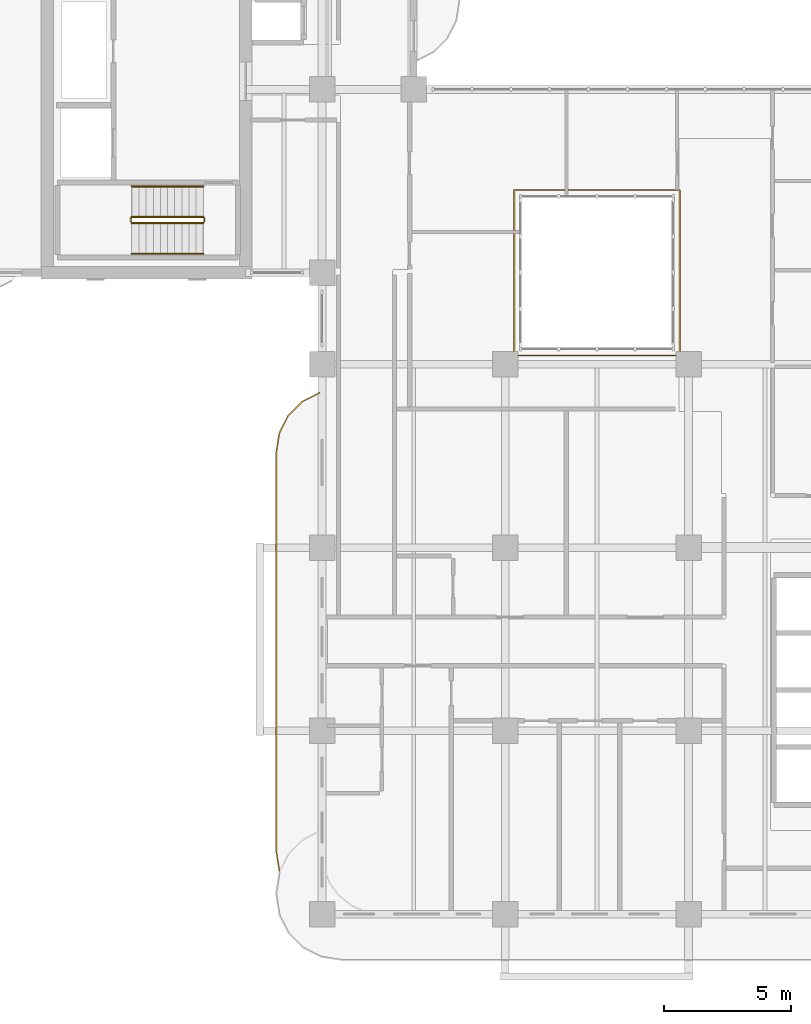
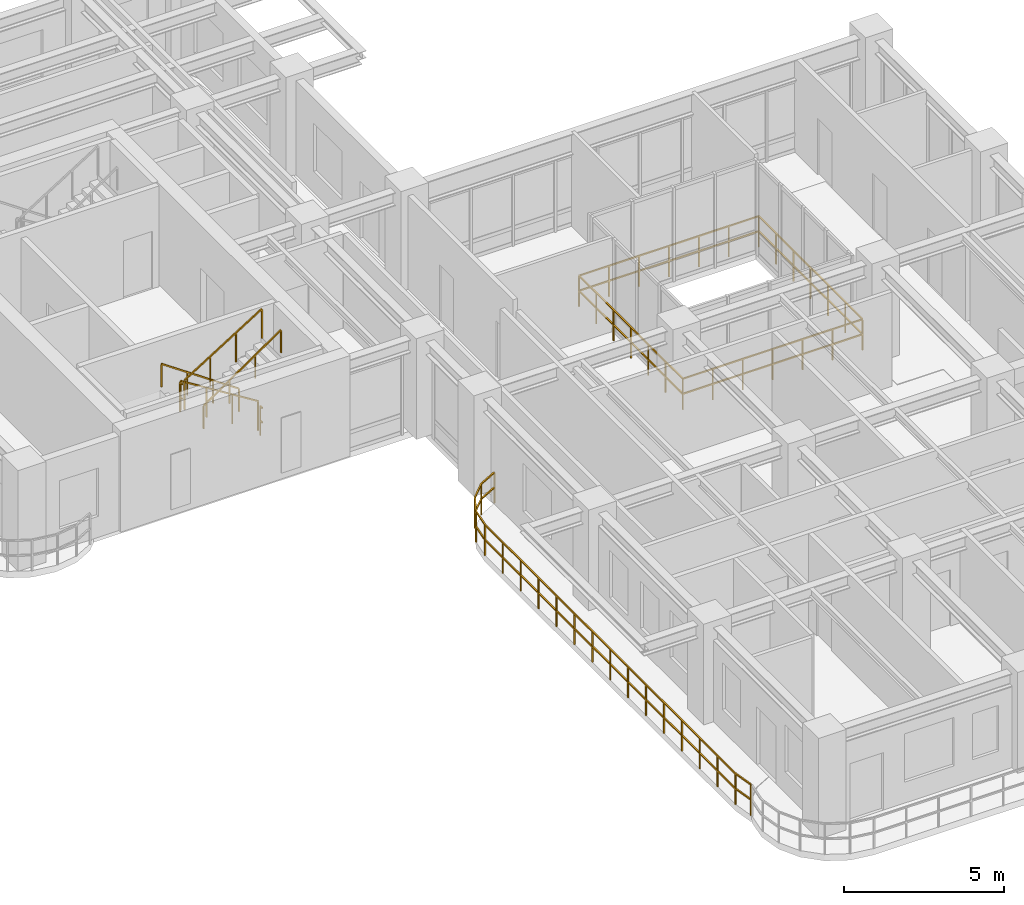
# One storey, part 17 of 20: 8 railings.
"""IFC4 building model written with IfcOpenShell, lengths in metres."""

from ifc_helpers import new_model, si_unit, derived_unit, direction, frame, origin, origin_2d, place, context, subcontext, project, spatial, rectangle, extrude, material, type_object, element, save


model = new_model("IFC4")

# Units and contexts
model_context = context("Model", 3, precision=1e-05, world=origin(), true_north=direction((0.0, 1.0)))
body_context = subcontext(model_context, "Body", "Model", "MODEL_VIEW")
ifc_project = project(units=[si_unit("LENGTHUNIT", "METRE"), si_unit("AREAUNIT", "SQUARE_METRE"), si_unit("VOLUMEUNIT", "CUBIC_METRE"), si_unit("PLANEANGLEUNIT", "RADIAN"), si_unit("MASSUNIT", "GRAM", prefix="KILO"), si_unit("THERMODYNAMICTEMPERATUREUNIT", "KELVIN"), si_unit("POWERUNIT", "WATT"), derived_unit("THERMALTRANSMITTANCEUNIT", [(si_unit("POWERUNIT", "WATT"), 1), (si_unit("AREAUNIT", "SQUARE_METRE"), -1), (si_unit("THERMODYNAMICTEMPERATUREUNIT", "KELVIN"), -1)])], contexts=[model_context])

# Site, building, storey
site_placement = place(None, origin())
site = spatial("IfcSite", under=ifc_project, at=site_placement, CompositionType="ELEMENT")
building_placement = place(site_placement, origin())
building = spatial("IfcBuilding", under=site, at=building_placement, Name="Zahravan Archway Hotel and Residences", CompositionType="ELEMENT")
storey_placement = place(building_placement, frame((0.0, 0.0, 173.39990234375)))
storey = spatial("IfcBuildingStorey", under=building, at=storey_placement, Name="L43", CompositionType="ELEMENT", Elevation=173.39990234375)

# Railings
ifc_material_1 = material(Name="Atrium Laminated Glass Guardrail", Category="glass")
railing_type_1 = type_object("IfcRailingType", Name="RL-ATR-1200", PredefinedType="BALUSTRADE", material=ifc_material_1)
railing_1_placement = place(storey_placement, frame((21.949951171875, 21.949951171875, 0.0)))
element("IfcRailing", 1, at=railing_1_placement, inside=storey, type_object=railing_type_1, Name="L43 Balustrade RL-ATR-L43", PredefinedType="BALUSTRADE", context=body_context, shape_type="SweptSolid", body=[
    extrude(rectangle(XDim=0.048095703125, YDim=0.048095703125, at=origin_2d()), frame((0.0, 0.0, 1.17578125), z_axis=(1.0, 0.0, 0.0), x_axis=(0.0, 1.0, 0.0)), (0.0, 0.0, 1.0), 6.5),
    extrude(rectangle(XDim=0.048095703125, YDim=0.048095703125, at=origin_2d()), frame((0.0, 0.0, 0.60009765625), z_axis=(1.0, 0.0, 0.0), x_axis=(0.0, 1.0, 0.0)), (0.0, 0.0, 1.0), 6.5),
    extrude(rectangle(XDim=0.048095703125, YDim=0.048095703125, at=origin_2d()), frame((6.5, 0.0, 1.17578125), z_axis=(0.0, 1.0, 0.0), x_axis=(-1.0, 0.0, 0.0)), (0.0, 0.0, 1.0), 6.5),
    extrude(rectangle(XDim=0.048095703125, YDim=0.048095703125, at=origin_2d()), frame((6.5, 0.0, 0.60009765625), z_axis=(0.0, 1.0, 0.0), x_axis=(-1.0, 0.0, 0.0)), (0.0, 0.0, 1.0), 6.5),
    extrude(rectangle(XDim=0.048095703125, YDim=0.048095703125, at=origin_2d()), frame((6.5, 6.5, 1.17578125), z_axis=(-1.0, 0.0, 0.0), x_axis=(0.0, -1.0, 0.0)), (0.0, 0.0, 1.0), 6.5),
    extrude(rectangle(XDim=0.048095703125, YDim=0.048095703125, at=origin_2d()), frame((6.5, 6.5, 0.60009765625), z_axis=(-1.0, 0.0, 0.0), x_axis=(0.0, -1.0, 0.0)), (0.0, 0.0, 1.0), 6.5),
    extrude(rectangle(XDim=0.048095703125, YDim=0.048095703125, at=origin_2d()), frame((0.0, 6.5, 1.17578125), z_axis=(0.0, -1.0, 0.0), x_axis=(1.0, 0.0, 0.0)), (0.0, 0.0, 1.0), 6.5),
    extrude(rectangle(XDim=0.048095703125, YDim=0.048095703125, at=origin_2d()), frame((0.0, 6.5, 0.60009765625), z_axis=(0.0, -1.0, 0.0), x_axis=(1.0, 0.0, 0.0)), (0.0, 0.0, 1.0), 6.5),
    extrude(rectangle(XDim=0.0419921875, YDim=0.0419921875, at=origin_2d()), origin(), (0.0, 0.0, 1.0), 1.15185546875),
    extrude(rectangle(XDim=0.0419921875, YDim=0.0419921875, at=origin_2d()), frame((1.083251953125, 0.0, 0.0)), (0.0, 0.0, 1.0), 1.15185546875),
    extrude(rectangle(XDim=0.0419921875, YDim=0.0419921875, at=origin_2d()), frame((2.166748046875, 0.0, 0.0)), (0.0, 0.0, 1.0), 1.15185546875),
    extrude(rectangle(XDim=0.0419921875, YDim=0.0419921875, at=origin_2d()), frame((3.25, 0.0, 0.0)), (0.0, 0.0, 1.0), 1.15185546875),
    extrude(rectangle(XDim=0.0419921875, YDim=0.0419921875, at=origin_2d()), frame((4.333251953125, 0.0, 0.0)), (0.0, 0.0, 1.0), 1.15185546875),
    extrude(rectangle(XDim=0.0419921875, YDim=0.0419921875, at=origin_2d()), frame((5.416748046875, 0.0, 0.0)), (0.0, 0.0, 1.0), 1.15185546875),
    extrude(rectangle(XDim=0.0419921875, YDim=0.0419921875, at=origin_2d()), frame((6.5, 0.0, 0.0)), (0.0, 0.0, 1.0), 1.15185546875),
    extrude(rectangle(XDim=0.0419921875, YDim=0.0419921875, at=origin_2d()), frame((6.5, 1.083251953125, 0.0)), (0.0, 0.0, 1.0), 1.15185546875),
    extrude(rectangle(XDim=0.0419921875, YDim=0.0419921875, at=origin_2d()), frame((6.5, 2.166748046875, 0.0)), (0.0, 0.0, 1.0), 1.15185546875),
    extrude(rectangle(XDim=0.0419921875, YDim=0.0419921875, at=origin_2d()), frame((6.5, 3.25, 0.0)), (0.0, 0.0, 1.0), 1.15185546875),
    extrude(rectangle(XDim=0.0419921875, YDim=0.0419921875, at=origin_2d()), frame((6.5, 4.333251953125, 0.0)), (0.0, 0.0, 1.0), 1.15185546875),
    extrude(rectangle(XDim=0.0419921875, YDim=0.0419921875, at=origin_2d()), frame((6.5, 5.416748046875, 0.0)), (0.0, 0.0, 1.0), 1.15185546875),
    extrude(rectangle(XDim=0.0419921875, YDim=0.0419921875, at=origin_2d()), frame((6.5, 6.5, 0.0)), (0.0, 0.0, 1.0), 1.15185546875),
    extrude(rectangle(XDim=0.0419921875, YDim=0.0419921875, at=origin_2d()), frame((5.416748046875, 6.5, 0.0)), (0.0, 0.0, 1.0), 1.15185546875),
    extrude(rectangle(XDim=0.0419921875, YDim=0.0419921875, at=origin_2d()), frame((4.333251953125, 6.5, 0.0)), (0.0, 0.0, 1.0), 1.15185546875),
    extrude(rectangle(XDim=0.0419921875, YDim=0.0419921875, at=origin_2d()), frame((3.25, 6.5, 0.0)), (0.0, 0.0, 1.0), 1.15185546875),
    extrude(rectangle(XDim=0.0419921875, YDim=0.0419921875, at=origin_2d()), frame((2.166748046875, 6.5, 0.0)), (0.0, 0.0, 1.0), 1.15185546875),
    extrude(rectangle(XDim=0.0419921875, YDim=0.0419921875, at=origin_2d()), frame((1.083251953125, 6.5, 0.0)), (0.0, 0.0, 1.0), 1.15185546875),
    extrude(rectangle(XDim=0.0419921875, YDim=0.0419921875, at=origin_2d()), frame((0.0, 6.5, 0.0)), (0.0, 0.0, 1.0), 1.15185546875),
    extrude(rectangle(XDim=0.0419921875, YDim=0.0419921875, at=origin_2d()), frame((0.0, 5.416748046875, 0.0)), (0.0, 0.0, 1.0), 1.15185546875),
    extrude(rectangle(XDim=0.0419921875, YDim=0.0419921875, at=origin_2d()), frame((0.0, 4.333251953125, 0.0)), (0.0, 0.0, 1.0), 1.15185546875),
    extrude(rectangle(XDim=0.0419921875, YDim=0.0419921875, at=origin_2d()), frame((0.0, 3.25, 0.0)), (0.0, 0.0, 1.0), 1.15185546875),
    extrude(rectangle(XDim=0.0419921875, YDim=0.0419921875, at=origin_2d()), frame((0.0, 2.166748046875, 0.0)), (0.0, 0.0, 1.0), 1.15185546875),
    extrude(rectangle(XDim=0.0419921875, YDim=0.0419921875, at=origin_2d()), frame((0.0, 1.083251953125, 0.0)), (0.0, 0.0, 1.0), 1.15185546875),
])
ifc_material_2 = material(Name="Bronze & Laminated Glass Balustrade", Category="glass")
railing_type_2 = type_object("IfcRailingType", Name="RL-BAL-1200", PredefinedType="BALUSTRADE", material=ifc_material_2)
railing_2_placement = place(storey_placement, frame((12.719970703125, 1.69287109375, 0.0)))
element("IfcRailing", 2, at=railing_2_placement, inside=storey, type_object=railing_type_2, Name="L43 Balustrade RL-SLB-BAL-L43-WA-1", PredefinedType="BALUSTRADE", context=body_context, shape_type="SweptSolid", body=[
    extrude(rectangle(XDim=0.048095703125, YDim=0.048095703125, at=origin_2d()), frame((0.0, 0.0, 1.17578125), z_axis=(-0.156387811283, 0.987695728695, 0.0), x_axis=(-0.987695728695, -0.156387811283, 0.0)), (0.0, 0.0, 1.0), 0.7666015625),
    extrude(rectangle(XDim=0.048095703125, YDim=0.048095703125, at=origin_2d()), frame((0.0, 0.0, 0.60009765625), z_axis=(-0.156387811283, 0.987695728695, 0.0), x_axis=(-0.987695728695, -0.156387811283, 0.0)), (0.0, 0.0, 1.0), 0.7666015625),
    extrude(rectangle(XDim=0.048095703125, YDim=0.048095703125, at=origin_2d()), frame((-0.119873046875, 0.757080078125, 1.17578125), z_axis=(0.0, 1.0, 0.0), x_axis=(-1.0, 0.0, 0.0)), (0.0, 0.0, 1.0), 15.699951171875),
    extrude(rectangle(XDim=0.048095703125, YDim=0.048095703125, at=origin_2d()), frame((-0.119873046875, 0.757080078125, 0.60009765625), z_axis=(0.0, 1.0, 0.0), x_axis=(-1.0, 0.0, 0.0)), (0.0, 0.0, 1.0), 15.699951171875),
    extrude(rectangle(XDim=0.048095703125, YDim=0.048095703125, at=origin_2d()), frame((-0.119873046875, 16.45703125, 1.17578125), z_axis=(0.156387811283, 0.987695728695, 0.0), x_axis=(-0.987695728695, 0.156387811283, 0.0)), (0.0, 0.0, 1.0), 0.7666015625),
    extrude(rectangle(XDim=0.048095703125, YDim=0.048095703125, at=origin_2d()), frame((-0.119873046875, 16.45703125, 0.60009765625), z_axis=(0.156387811283, 0.987695728695, 0.0), x_axis=(-0.987695728695, 0.156387811283, 0.0)), (0.0, 0.0, 1.0), 0.7666015625),
    extrude(rectangle(XDim=0.048095703125, YDim=0.048095703125, at=origin_2d()), frame((0.0, 17.214111328125, 1.17578125), z_axis=(0.453825591531, 0.891090529897, 0.0), x_axis=(-0.891090529897, 0.453825591531, 0.0)), (0.0, 0.0, 1.0), 0.7666015625),
    extrude(rectangle(XDim=0.048095703125, YDim=0.048095703125, at=origin_2d()), frame((0.0, 17.214111328125, 0.60009765625), z_axis=(0.453825591531, 0.891090529897, 0.0), x_axis=(-0.891090529897, 0.453825591531, 0.0)), (0.0, 0.0, 1.0), 0.7666015625),
    extrude(rectangle(XDim=0.048095703125, YDim=0.048095703125, at=origin_2d()), frame((0.347900390625, 17.897216796875, 1.17578125), z_axis=(0.707106781187, 0.707106781187, 0.0), x_axis=(-0.707106781187, 0.707106781187, 0.0)), (0.0, 0.0, 1.0), 0.7666015625),
    extrude(rectangle(XDim=0.048095703125, YDim=0.048095703125, at=origin_2d()), frame((0.347900390625, 17.897216796875, 0.60009765625), z_axis=(0.707106781187, 0.707106781187, 0.0), x_axis=(-0.707106781187, 0.707106781187, 0.0)), (0.0, 0.0, 1.0), 0.7666015625),
    extrude(rectangle(XDim=0.048095703125, YDim=0.048095703125, at=origin_2d()), frame((0.889892578125, 18.439208984375, 1.17578125), z_axis=(0.891090529897, 0.453825591531, 0.0), x_axis=(-0.453825591531, 0.891090529897, 0.0)), (0.0, 0.0, 1.0), 0.7666015625),
    extrude(rectangle(XDim=0.048095703125, YDim=0.048095703125, at=origin_2d()), frame((0.889892578125, 18.439208984375, 0.60009765625), z_axis=(0.891090529897, 0.453825591531, 0.0), x_axis=(-0.453825591531, 0.891090529897, 0.0)), (0.0, 0.0, 1.0), 0.7666015625),
    extrude(rectangle(XDim=0.0419921875, YDim=0.0419921875, at=origin_2d()), origin(), (0.0, 0.0, 1.0), 1.15185546875),
    extrude(rectangle(XDim=0.0419921875, YDim=0.0419921875, at=origin_2d()), frame((-0.119873046875, 0.757080078125, 0.0)), (0.0, 0.0, 1.0), 1.15185546875),
    extrude(rectangle(XDim=0.0419921875, YDim=0.0419921875, at=origin_2d()), frame((-0.119873046875, 1.87841796875, 0.0)), (0.0, 0.0, 1.0), 1.15185546875),
    extrude(rectangle(XDim=0.0419921875, YDim=0.0419921875, at=origin_2d()), frame((-0.119873046875, 3.0, 0.0)), (0.0, 0.0, 1.0), 1.15185546875),
    extrude(rectangle(XDim=0.0419921875, YDim=0.0419921875, at=origin_2d()), frame((-0.119873046875, 4.121337890625, 0.0)), (0.0, 0.0, 1.0), 1.15185546875),
    extrude(rectangle(XDim=0.0419921875, YDim=0.0419921875, at=origin_2d()), frame((-0.119873046875, 5.24267578125, 0.0)), (0.0, 0.0, 1.0), 1.15185546875),
    extrude(rectangle(XDim=0.0419921875, YDim=0.0419921875, at=origin_2d()), frame((-0.119873046875, 6.3642578125, 0.0)), (0.0, 0.0, 1.0), 1.15185546875),
    extrude(rectangle(XDim=0.0419921875, YDim=0.0419921875, at=origin_2d()), frame((-0.119873046875, 7.485595703125, 0.0)), (0.0, 0.0, 1.0), 1.15185546875),
    extrude(rectangle(XDim=0.0419921875, YDim=0.0419921875, at=origin_2d()), frame((-0.119873046875, 8.60693359375, 0.0)), (0.0, 0.0, 1.0), 1.15185546875),
    extrude(rectangle(XDim=0.0419921875, YDim=0.0419921875, at=origin_2d()), frame((-0.119873046875, 9.728515625, 0.0)), (0.0, 0.0, 1.0), 1.15185546875),
    extrude(rectangle(XDim=0.0419921875, YDim=0.0419921875, at=origin_2d()), frame((-0.119873046875, 10.849853515625, 0.0)), (0.0, 0.0, 1.0), 1.15185546875),
    extrude(rectangle(XDim=0.0419921875, YDim=0.0419921875, at=origin_2d()), frame((-0.119873046875, 11.971435546875, 0.0)), (0.0, 0.0, 1.0), 1.15185546875),
    extrude(rectangle(XDim=0.0419921875, YDim=0.0419921875, at=origin_2d()), frame((-0.119873046875, 13.0927734375, 0.0)), (0.0, 0.0, 1.0), 1.15185546875),
    extrude(rectangle(XDim=0.0419921875, YDim=0.0419921875, at=origin_2d()), frame((-0.119873046875, 14.214111328125, 0.0)), (0.0, 0.0, 1.0), 1.15185546875),
    extrude(rectangle(XDim=0.0419921875, YDim=0.0419921875, at=origin_2d()), frame((-0.119873046875, 15.335693359375, 0.0)), (0.0, 0.0, 1.0), 1.15185546875),
    extrude(rectangle(XDim=0.0419921875, YDim=0.0419921875, at=origin_2d()), frame((-0.119873046875, 16.45703125, 0.0)), (0.0, 0.0, 1.0), 1.15185546875),
    extrude(rectangle(XDim=0.0419921875, YDim=0.0419921875, at=origin_2d()), frame((0.0, 17.214111328125, 0.0)), (0.0, 0.0, 1.0), 1.15185546875),
    extrude(rectangle(XDim=0.0419921875, YDim=0.0419921875, at=origin_2d()), frame((0.347900390625, 17.897216796875, 0.0)), (0.0, 0.0, 1.0), 1.15185546875),
    extrude(rectangle(XDim=0.0419921875, YDim=0.0419921875, at=origin_2d()), frame((0.889892578125, 18.439208984375, 0.0)), (0.0, 0.0, 1.0), 1.15185546875),
    extrude(rectangle(XDim=0.0419921875, YDim=0.0419921875, at=origin_2d()), frame((1.572998046875, 18.787109375, 0.0)), (0.0, 0.0, 1.0), 1.15185546875),
])
ifc_material_3 = material(Name="Painted Tubular Steel", Category="steel")
railing_type_3 = type_object("IfcRailingType", Name="RL-STG-1150", PredefinedType="GUARDRAIL", material=ifc_material_3)
railing_3_placement = place(storey_placement, frame((9.72998046875, 27.389892578125, 0.175048828125)))
element("IfcRailing", 3, at=railing_3_placement, inside=storey, type_object=railing_type_3, Name="L43 ST-B1 stair guard 1", PredefinedType="GUARDRAIL", context=body_context, shape_type="SweptSolid", body=[
    extrude(rectangle(XDim=0.048095703125, YDim=0.048095703125, at=origin_2d()), frame((0.0, 0.0, 1.1259765625), z_axis=(-0.848002457836, 0.0, 0.529992293815), x_axis=(0.0, -1.0, 0.0)), (0.0, 0.0, 1.0), 3.302001953125),
    extrude(rectangle(XDim=0.0419921875, YDim=0.0419921875, at=origin_2d()), origin(), (0.0, 0.0, 1.0), 1.101806640625),
    extrude(rectangle(XDim=0.0419921875, YDim=0.0419921875, at=origin_2d()), frame((-0.933349609375, 0.0, 0.583251953125)), (0.0, 0.0, 1.0), 1.101806640625),
    extrude(rectangle(XDim=0.0419921875, YDim=0.0419921875, at=origin_2d()), frame((-1.86669921875, 0.0, 1.166748046875)), (0.0, 0.0, 1.0), 1.101806640625),
    extrude(rectangle(XDim=0.0419921875, YDim=0.0419921875, at=origin_2d()), frame((-2.800048828125, 0.0, 1.75)), (0.0, 0.0, 1.0), 1.101806640625),
])
railing_4_placement = place(storey_placement, frame((6.8798828125, 27.340087890625, 1.925048828125)))
element("IfcRailing", 4, at=railing_4_placement, inside=storey, type_object=railing_type_3, Name="L43 ST-B1 stair guard 2", PredefinedType="GUARDRAIL", context=body_context, shape_type="SweptSolid", body=[
    extrude(rectangle(XDim=0.048095703125, YDim=0.048095703125, at=origin_2d()), frame((0.0, 0.0, 1.1259765625), z_axis=(0.0, -1.0, 0.0), x_axis=(1.0, 0.0, 0.0)), (0.0, 0.0, 1.0), 0.14013671875),
    extrude(rectangle(XDim=0.048095703125, YDim=0.048095703125, at=origin_2d()), frame((0.0, 0.0, 0.574951171875), z_axis=(0.0, -1.0, 0.0), x_axis=(1.0, 0.0, 0.0)), (0.0, 0.0, 1.0), 0.14013671875),
    extrude(rectangle(XDim=0.0419921875, YDim=0.0419921875, at=origin_2d()), origin(), (0.0, 0.0, 1.0), 1.101806640625),
])
railing_5_placement = place(storey_placement, frame((6.929931640625, 27.14990234375, 2.10009765625)))
element("IfcRailing", 5, at=railing_5_placement, inside=storey, type_object=railing_type_3, Name="L43 ST-B1 stair guard 3", PredefinedType="GUARDRAIL", context=body_context, shape_type="SweptSolid", body=[
    extrude(rectangle(XDim=0.048095703125, YDim=0.048095703125, at=origin_2d()), frame((0.0, 0.0, 1.1259765625), z_axis=(0.848002457836, 0.0, 0.529992293815), x_axis=(0.0, 1.0, 0.0)), (0.0, 0.0, 1.0), 3.302001953125),
    extrude(rectangle(XDim=0.0419921875, YDim=0.0419921875, at=origin_2d()), origin(), (0.0, 0.0, 1.0), 1.101806640625),
    extrude(rectangle(XDim=0.0419921875, YDim=0.0419921875, at=origin_2d()), frame((0.933349609375, 0.0, 0.583251953125)), (0.0, 0.0, 1.0), 1.101806640625),
    extrude(rectangle(XDim=0.0419921875, YDim=0.0419921875, at=origin_2d()), frame((1.86669921875, 0.0, 1.166748046875)), (0.0, 0.0, 1.0), 1.101806640625),
    extrude(rectangle(XDim=0.0419921875, YDim=0.0419921875, at=origin_2d()), frame((2.800048828125, 0.0, 1.75)), (0.0, 0.0, 1.0), 1.101806640625),
])
railing_6_placement = place(storey_placement, frame((9.780029296875, 27.340087890625, 0.0)))
element("IfcRailing", 6, at=railing_6_placement, inside=storey, type_object=railing_type_3, Name="L43 ST-B1 stair guard 4", PredefinedType="GUARDRAIL", context=body_context, shape_type="SweptSolid", body=[
    extrude(rectangle(XDim=0.048095703125, YDim=0.048095703125, at=origin_2d()), frame((0.0, 0.0, 1.1259765625), z_axis=(0.0, -1.0, 0.0), x_axis=(1.0, 0.0, 0.0)), (0.0, 0.0, 1.0), 0.14013671875),
    extrude(rectangle(XDim=0.048095703125, YDim=0.048095703125, at=origin_2d()), frame((0.0, 0.0, 0.574951171875), z_axis=(0.0, -1.0, 0.0), x_axis=(1.0, 0.0, 0.0)), (0.0, 0.0, 1.0), 0.14013671875),
    extrude(rectangle(XDim=0.0419921875, YDim=0.0419921875, at=origin_2d()), origin(), (0.0, 0.0, 1.0), 1.101806640625),
])
ifc_material_4 = material(Name="Brushed Stainless Steel", Category="steel")
railing_type_4 = type_object("IfcRailingType", Name="RL-STH-900", PredefinedType="HANDRAIL", material=ifc_material_4)
railing_7_placement = place(storey_placement, frame((9.72998046875, 28.590087890625, 0.175048828125)))
element("IfcRailing", 7, at=railing_7_placement, inside=storey, type_object=railing_type_4, Name="L43 ST-B1 stair handrail 1", PredefinedType="HANDRAIL", context=body_context, shape_type="SweptSolid", body=[
    extrude(rectangle(XDim=0.048095703125, YDim=0.048095703125, at=origin_2d()), frame((0.0, 0.0, 0.8759765625), z_axis=(-0.824039827795, 0.0, 0.566531872191), x_axis=(0.0, -1.0, 0.0)), (0.0, 0.0, 1.0), 3.39794921875),
    extrude(rectangle(XDim=0.0419921875, YDim=0.0419921875, at=origin_2d()), origin(), (0.0, 0.0, 1.0), 0.851806640625),
    extrude(rectangle(XDim=0.0419921875, YDim=0.0419921875, at=origin_2d()), frame((-0.933349609375, 0.0, 0.6416015625)), (0.0, 0.0, 1.0), 0.851806640625),
    extrude(rectangle(XDim=0.0419921875, YDim=0.0419921875, at=origin_2d()), frame((-1.86669921875, 0.0, 1.283447265625)), (0.0, 0.0, 1.0), 0.851806640625),
    extrude(rectangle(XDim=0.0419921875, YDim=0.0419921875, at=origin_2d()), frame((-2.800048828125, 0.0, 1.925048828125)), (0.0, 0.0, 1.0), 0.851806640625),
])
railing_8_placement = place(storey_placement, frame((6.929931640625, 25.949951171875, 2.10009765625)))
element("IfcRailing", 8, at=railing_8_placement, inside=storey, type_object=railing_type_4, Name="L43 ST-B1 stair handrail 2", PredefinedType="HANDRAIL", context=body_context, shape_type="SweptSolid", body=[
    extrude(rectangle(XDim=0.048095703125, YDim=0.048095703125, at=origin_2d()), frame((0.0, 0.0, 0.8759765625), z_axis=(0.824039827795, 0.0, 0.566531872191), x_axis=(0.0, 1.0, 0.0)), (0.0, 0.0, 1.0), 3.39794921875),
    extrude(rectangle(XDim=0.0419921875, YDim=0.0419921875, at=origin_2d()), origin(), (0.0, 0.0, 1.0), 0.851806640625),
    extrude(rectangle(XDim=0.0419921875, YDim=0.0419921875, at=origin_2d()), frame((0.933349609375, 0.0, 0.6416015625)), (0.0, 0.0, 1.0), 0.851806640625),
    extrude(rectangle(XDim=0.0419921875, YDim=0.0419921875, at=origin_2d()), frame((1.86669921875, 0.0, 1.283447265625)), (0.0, 0.0, 1.0), 0.851806640625),
    extrude(rectangle(XDim=0.0419921875, YDim=0.0419921875, at=origin_2d()), frame((2.800048828125, 0.0, 1.925048828125)), (0.0, 0.0, 1.0), 0.851806640625),
])

save(model, "model.ifc")
